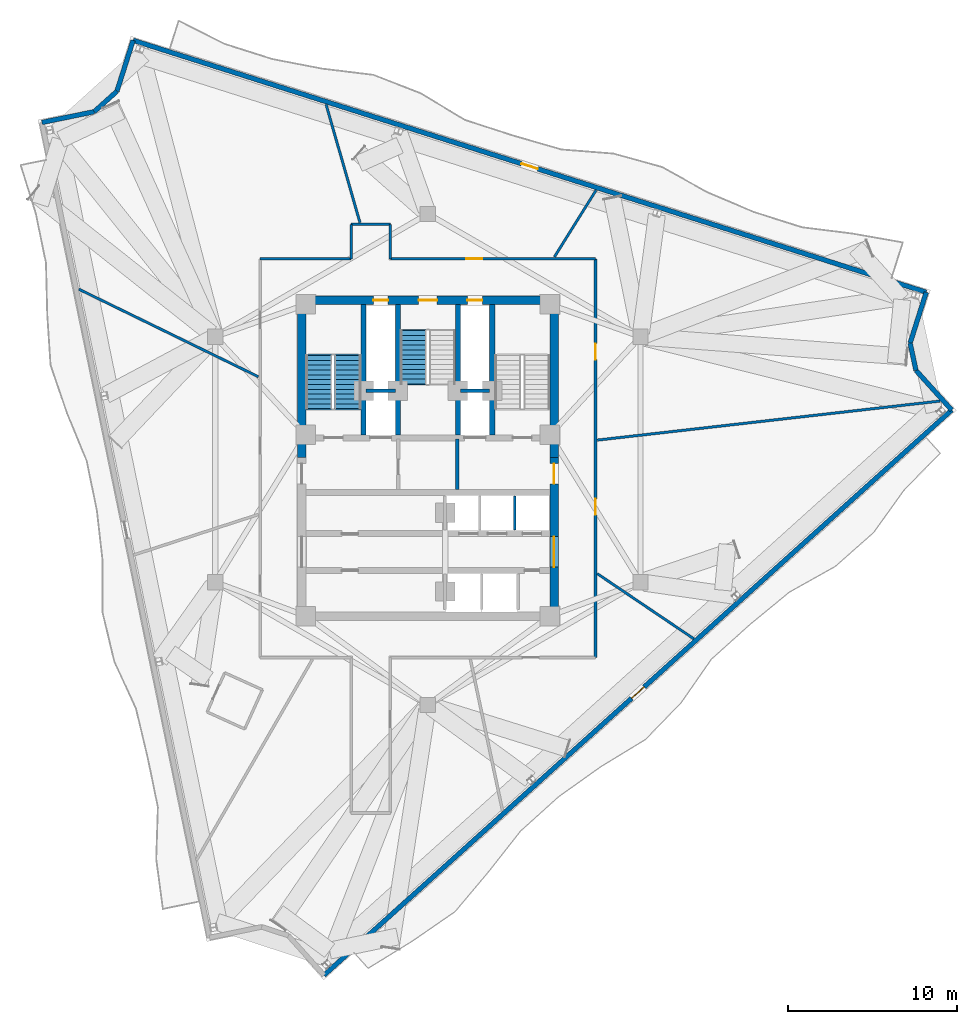
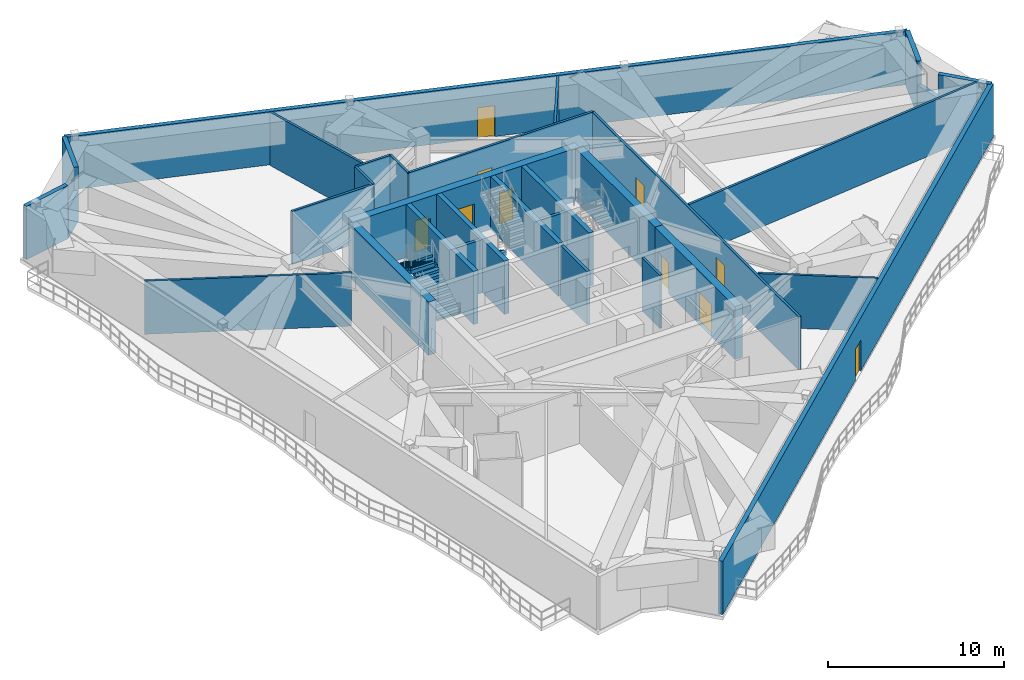
# One storey, part 7 of 12: 31 walls, 10 doors, 3 stair flights, 10 openings, 2 elements without a shape of their own.
"""IFC4 building model written with IfcOpenShell, lengths in metres."""

from ifc_helpers import new_model, si_unit, direction, frame, frame_2d, origin, place, context, subcontext, project, spatial, polyline, rectangle, outline, extrude, material, layer, layer_set, type_object, element, fill, aggregate, save


model = new_model("IFC4")

# Units and contexts
model_context = context("Model", 3, precision=1e-05, world=origin(), true_north=direction((0.0, 1.0)))
body_context = subcontext(model_context, "Body", "Model", "MODEL_VIEW")
ifc_project = project(units=[si_unit("LENGTHUNIT", "METRE"), si_unit("AREAUNIT", "SQUARE_METRE"), si_unit("VOLUMEUNIT", "CUBIC_METRE"), si_unit("PLANEANGLEUNIT", "RADIAN"), si_unit("MASSUNIT", "GRAM", prefix="KILO")], contexts=[model_context])

# Site, building, storey
site_placement = place(None, origin())
site = spatial("IfcSite", under=ifc_project, at=site_placement, CompositionType="ELEMENT")
building_placement = place(site_placement, origin())
building = spatial("IfcBuilding", under=site, at=building_placement, Name="Apsidion Concourse Tower", CompositionType="ELEMENT")
storey_placement = place(building_placement, frame((0.0, 0.0, 256.800048828125)))
storey = spatial("IfcBuildingStorey", under=building, at=storey_placement, Name="L60", CompositionType="ELEMENT", Elevation=256.800048828125)

# Wall, opening, door
ifc_material_1 = material(Name="Precast concrete C40/50", Category="concrete")
ifc_layer_1 = layer(ifc_material_1, 0.280029296875)
ifc_layer_set_1 = layer_set([ifc_layer_1], Name="Precast concrete C40/50")
wall_type_1 = type_object("IfcWallType", Name="WL-EXT-280", PredefinedType="STANDARD", material=ifc_layer_set_1)
wall_1_placement = place(storey_placement, frame((-17.4072265625, 24.74755859375, 0.0), z_axis=(0.0, 0.0, 1.0), x_axis=(0.953082756031, -0.302709861346, 0.0)))
wall_1 = element("IfcWall", 1, at=wall_1_placement, inside=storey, type_object=wall_type_1, Name="L60 Precast Stone Facade Wall 01", PredefinedType="STANDARD", context=body_context, shape_type="SweptSolid", body=[
    extrude(rectangle(XDim=49.14501953125, YDim=0.280029296875, at=frame_2d((24.572509765625, 0.0))), origin(), (0.0, 0.0, 1.0), 3.699951171875),
])
opening_1_placement = place(wall_1_placement, frame((24.072509765625, 0.0, 0.0)))
opening_1 = element("IfcOpeningElement", 2, at=opening_1_placement, cuts=wall_1, Name="Opening D-T1L", PredefinedType="OPENING", context=body_context, shape_type="SweptSolid", body=[
    extrude(rectangle(XDim=1.0, YDim=2.14990234375, at=frame_2d((0.5, 1.074951171875))), frame((0.0, 0.14990234375, 0.0), z_axis=(0.0, -1.0, 0.0), x_axis=(1.0, 0.0, 0.0)), (0.0, 0.0, 1.0), 0.300048828125),
])
ifc_material_2 = material(Name="Anodised aluminium EN AW-6063 T6", Category="aluminium")
door_type_1 = type_object("IfcDoorType", Name="DR-TER-1022L", OperationType="SINGLE_SWING_LEFT", PredefinedType="DOOR", material=ifc_material_2)
door_1_placement = place(opening_1_placement, origin())
door_1 = element("IfcDoor", 3, at=door_1_placement, inside=storey, type_object=door_type_1, Name="L60 Balcony Access Door 3", OperationType="SINGLE_SWING_LEFT", OverallHeight=2.14990234375, OverallWidth=1.0, PredefinedType="DOOR", context=body_context, shape_type="SweptSolid", body=[
    extrude(rectangle(XDim=1.0, YDim=2.14990234375, at=frame_2d((0.5, 1.074951171875))), frame((0.0, 0.02490234375, 0.0), z_axis=(0.0, -1.0, 0.0), x_axis=(1.0, 0.0, 0.0)), (0.0, 0.0, 1.0), 0.050048828125),
])
fill(opening_1, door_1)

# Walls
wall_2_placement = place(storey_placement, frame((29.43212890625, 9.870849609375, 0.0), z_axis=(0.0, 0.0, 1.0), x_axis=(-0.30264059672, -0.953104752489, 0.0)))
element("IfcWall", 4, at=wall_2_placement, inside=storey, type_object=wall_type_1, Name="L60 Precast Stone Facade Wall 02", PredefinedType="STANDARD", context=body_context, shape_type="SweptSolid", body=[
    extrude(rectangle(XDim=3.150146484375, YDim=0.280029296875, at=frame_2d((1.5751953125, 0.0))), origin(), (0.0, 0.0, 1.0), 3.699951171875),
])
wall_3_placement = place(storey_placement, frame((28.478759765625, 6.868408203125, 0.0), z_axis=(0.0, 0.0, 1.0), x_axis=(0.211126358094, -0.977458777094, 0.0)))
element("IfcWall", 5, at=wall_3_placement, inside=storey, type_object=wall_type_1, Name="L60 Precast Stone Facade Wall 03", PredefinedType="STANDARD", context=body_context, shape_type="SweptSolid", body=[
    extrude(rectangle(XDim=1.64892578125, YDim=0.280029296875, at=frame_2d((0.824462890625, 0.0))), origin(), (0.0, 0.0, 1.0), 2.079833984375),
])
wall_4_placement = place(storey_placement, frame((28.826904296875, 5.256591796875, 0.0), z_axis=(0.0, 0.0, 1.0), x_axis=(0.669127439782, -0.743147676663, 0.0)))
element("IfcWall", 6, at=wall_4_placement, inside=storey, type_object=wall_type_1, Name="L60 Precast Stone Facade Wall 04", PredefinedType="STANDARD", context=body_context, shape_type="SweptSolid", body=[
    extrude(rectangle(XDim=3.14990234375, YDim=0.280029296875, at=frame_2d((1.574951171875, 0.0))), origin(), (0.0, 0.0, 1.0), 3.699951171875),
])

# Wall, opening, door
wall_5_placement = place(storey_placement, frame((30.9345703125, 2.915771484375, 0.0), z_axis=(0.0, 0.0, 1.0), x_axis=(-0.743143233829, -0.66913237406, 0.0)))
wall_5 = element("IfcWall", 7, at=wall_5_placement, inside=storey, type_object=wall_type_1, Name="L60 Precast Stone Facade Wall 05", PredefinedType="STANDARD", context=body_context, shape_type="SweptSolid", body=[
    extrude(rectangle(XDim=49.8798828125, YDim=0.280029296875, at=frame_2d((24.93994140625, 0.0))), origin(), (0.0, 0.0, 1.0), 3.699951171875),
])
opening_2_placement = place(wall_5_placement, frame((24.43994140625, 0.0, 0.0)))
opening_2 = element("IfcOpeningElement", 8, at=opening_2_placement, cuts=wall_5, Name="Opening D-T1R", PredefinedType="OPENING", context=body_context, shape_type="SweptSolid", body=[
    extrude(rectangle(XDim=1.0, YDim=2.14990234375, at=frame_2d((0.5, 1.074951171875))), frame((0.0, 0.14990234375, 0.0), z_axis=(0.0, -1.0, 0.0), x_axis=(1.0, 0.0, 0.0)), (0.0, 0.0, 1.0), 0.300048828125),
])
door_type_2 = type_object("IfcDoorType", Name="DR-TER-1022R", OperationType="SINGLE_SWING_RIGHT", PredefinedType="DOOR", material=ifc_material_2)
door_2_placement = place(opening_2_placement, origin())
door_2 = element("IfcDoor", 9, at=door_2_placement, inside=storey, type_object=door_type_2, Name="L60 Balcony Access Door 2", OperationType="SINGLE_SWING_RIGHT", OverallHeight=2.14990234375, OverallWidth=1.0, PredefinedType="DOOR", context=body_context, shape_type="SweptSolid", body=[
    extrude(rectangle(XDim=1.0, YDim=2.14990234375, at=frame_2d((0.5, 1.074951171875))), frame((0.0, 0.02490234375, 0.0), z_axis=(0.0, -1.0, 0.0), x_axis=(1.0, 0.0, 0.0)), (0.0, 0.0, 1.0), 0.050048828125),
])
fill(opening_2, door_2)

# Walls
wall_6_placement = place(storey_placement, frame((-22.79248046875, 19.898681640625, 0.0), z_axis=(0.0, 0.0, 1.0), x_axis=(0.979502474011, 0.201432131016, 0.0)))
element("IfcWall", 10, at=wall_6_placement, inside=storey, type_object=wall_type_1, Name="L60 Precast Stone Facade Wall 10", PredefinedType="STANDARD", context=body_context, shape_type="SweptSolid", body=[
    extrude(rectangle(XDim=3.1513671875, YDim=0.280029296875, at=frame_2d((1.57568359375, 0.0))), origin(), (0.0, 0.0, 1.0), 3.699951171875),
])
wall_7_placement = place(storey_placement, frame((-19.705810546875, 20.533447265625, 0.0), z_axis=(0.0, 0.0, 1.0), x_axis=(0.743173371482, 0.669098901449, 0.0)))
element("IfcWall", 11, at=wall_7_placement, inside=storey, type_object=wall_type_1, Name="L60 Precast Stone Facade Wall 11", PredefinedType="STANDARD", context=body_context, shape_type="SweptSolid", body=[
    extrude(rectangle(XDim=1.809326171875, YDim=0.280029296875, at=frame_2d((0.90478515625, 0.0))), origin(), (0.0, 0.0, 1.0), 2.079833984375),
])
wall_8_placement = place(storey_placement, frame((-18.361083984375, 21.744140625, 0.0), z_axis=(0.0, 0.0, 1.0), x_axis=(0.302691963624, 0.953088440365, 0.0)))
element("IfcWall", 12, at=wall_8_placement, inside=storey, type_object=wall_type_1, Name="L60 Precast Stone Facade Wall 12", PredefinedType="STANDARD", context=body_context, shape_type="SweptSolid", body=[
    extrude(rectangle(XDim=3.1513671875, YDim=0.280029296875, at=frame_2d((1.57568359375, 0.0))), origin(), (0.0, 0.0, 1.0), 3.699951171875),
])
ifc_material_3 = material(Name="Gypsum plasterboard partition")
ifc_layer_2 = layer(ifc_material_3, 0.14990234375)
ifc_layer_set_2 = layer_set([ifc_layer_2], Name="Gypsum plasterboard partition")
wall_type_2 = type_object("IfcWallType", Name="WL-INT-PAR-150", PredefinedType="PARTITIONING", material=ifc_layer_set_2)
wall_9_placement = place(storey_placement, frame((5.125, -4.179931640625, 0.0), z_axis=(0.0, 0.0, 1.0), x_axis=(0.0, 1.0, 0.0)))
element("IfcWall", 13, at=wall_9_placement, inside=storey, type_object=wall_type_2, Name="L60 Interior Partition WL-L60-B3DIV-2", PredefinedType="PARTITIONING", context=body_context, shape_type="SweptSolid", body=[
    extrude(rectangle(XDim=2.030029296875, YDim=0.14990234375, at=frame_2d((1.01513671875, 0.0))), origin(), (0.0, 0.0, 1.0), 3.699951171875),
])
wall_10_placement = place(storey_placement, frame((-9.89990234375, 11.85009765625, 0.0), z_axis=(0.0, 0.0, 1.0), x_axis=(1.0, 0.0, 0.0)))
element("IfcWall", 14, at=wall_10_placement, inside=storey, type_object=wall_type_2, Name="L60 Interior Partition WL-L60-CORR-03", PredefinedType="PARTITIONING", context=body_context, shape_type="SweptSolid", body=[
    extrude(rectangle(XDim=5.369873046875, YDim=0.14990234375, at=frame_2d((2.68505859375, 0.0))), origin(), (0.0, 0.0, 1.0), 3.699951171875),
])
wall_11_placement = place(storey_placement, frame((-4.530029296875, 11.85009765625, 0.0), z_axis=(0.0, 0.0, 1.0), x_axis=(0.0, 1.0, 0.0)))
element("IfcWall", 15, at=wall_11_placement, inside=storey, type_object=wall_type_2, Name="L60 Interior Partition WL-L60-CORR-04", PredefinedType="PARTITIONING", context=body_context, shape_type="SweptSolid", body=[
    extrude(rectangle(XDim=2.02978515625, YDim=0.14990234375, at=frame_2d((1.014892578125, 0.0))), origin(), (0.0, 0.0, 1.0), 3.699951171875),
])
wall_12_placement = place(storey_placement, frame((-4.530029296875, 13.8798828125, 0.0), z_axis=(0.0, 0.0, 1.0), x_axis=(1.0, 0.0, 0.0)))
element("IfcWall", 16, at=wall_12_placement, inside=storey, type_object=wall_type_2, Name="L60 Interior Partition WL-L60-CORR-05", PredefinedType="PARTITIONING", context=body_context, shape_type="SweptSolid", body=[
    extrude(rectangle(XDim=2.31005859375, YDim=0.14990234375, at=frame_2d((1.155029296875, 0.0))), origin(), (0.0, 0.0, 1.0), 3.699951171875),
])
wall_13_placement = place(storey_placement, frame((-2.219970703125, 13.8798828125, 0.0), z_axis=(0.0, 0.0, 1.0), x_axis=(0.0, -1.0, 0.0)))
element("IfcWall", 17, at=wall_13_placement, inside=storey, type_object=wall_type_2, Name="L60 Interior Partition WL-L60-CORR-06", PredefinedType="PARTITIONING", context=body_context, shape_type="SweptSolid", body=[
    extrude(rectangle(XDim=2.02978515625, YDim=0.14990234375, at=frame_2d((1.014892578125, 0.0))), origin(), (0.0, 0.0, 1.0), 3.699951171875),
])

# Wall, opening, door
wall_14_placement = place(storey_placement, frame((-2.219970703125, 11.85009765625, 0.0), z_axis=(0.0, 0.0, 1.0), x_axis=(1.0, 0.0, 0.0)))
wall_14 = element("IfcWall", 18, at=wall_14_placement, inside=storey, type_object=wall_type_2, Name="L60 Interior Partition WL-L60-CORR-07", PredefinedType="PARTITIONING", context=body_context, shape_type="SweptSolid", body=[
    extrude(rectangle(XDim=12.119873046875, YDim=0.14990234375, at=frame_2d((6.06005859375, 0.0))), origin(), (0.0, 0.0, 1.0), 3.699951171875),
])
opening_3_placement = place(wall_14_placement, frame((4.492919921875, 0.0, 0.0)))
opening_3 = element("IfcOpeningElement", 19, at=opening_3_placement, cuts=wall_14, Name="Opening D-01R", PredefinedType="OPENING", context=body_context, shape_type="SweptSolid", body=[
    extrude(rectangle(XDim=0.949951171875, YDim=2.14990234375, at=frame_2d((0.47509765625, 1.074951171875))), frame((0.0, 0.0849609375, 0.0), z_axis=(0.0, -1.0, 0.0), x_axis=(1.0, 0.0, 0.0)), (0.0, 0.0, 1.0), 0.169921875),
])
ifc_material_4 = material(Name="Brushed stainless steel 316", Category="steel")
door_type_3 = type_object("IfcDoorType", Name="DR-INT-D01R", OperationType="SINGLE_SWING_RIGHT", PredefinedType="DOOR", material=ifc_material_4)
door_3_placement = place(opening_3_placement, origin())
door_3 = element("IfcDoor", 20, at=door_3_placement, inside=storey, type_object=door_type_3, Name="L60 Corridor Entry Door 06", OperationType="SINGLE_SWING_RIGHT", OverallHeight=2.14990234375, OverallWidth=0.949951171875, PredefinedType="DOOR", context=body_context, shape_type="SweptSolid", body=[
    extrude(rectangle(XDim=0.949951171875, YDim=2.14990234375, at=frame_2d((0.47509765625, 1.074951171875))), frame((0.0, 0.02490234375, 0.0), z_axis=(0.0, -1.0, 0.0), x_axis=(1.0, 0.0, 0.0)), (0.0, 0.0, 1.0), 0.050048828125),
])
fill(opening_3, door_3)

# Wall, openings, doors
wall_15_placement = place(storey_placement, frame((9.89990234375, 11.85009765625, 0.0), z_axis=(0.0, 0.0, 1.0), x_axis=(0.0, -1.0, 0.0)))
wall_15 = element("IfcWall", 21, at=wall_15_placement, inside=storey, type_object=wall_type_2, Name="L60 Interior Partition WL-L60-CORR-08", PredefinedType="PARTITIONING", context=body_context, shape_type="SweptSolid", body=[
    extrude(rectangle(XDim=23.550048828125, YDim=0.14990234375, at=frame_2d((11.77490234375, 0.0))), origin(), (0.0, 0.0, 1.0), 3.699951171875),
])
opening_4_placement = place(wall_15_placement, frame((14.177734375, 0.0, 0.0)))
opening_4 = element("IfcOpeningElement", 22, at=opening_4_placement, cuts=wall_15, Name="Opening D-01R", PredefinedType="OPENING", context=body_context, shape_type="SweptSolid", body=[
    extrude(rectangle(XDim=0.949951171875, YDim=2.14990234375, at=frame_2d((0.47509765625, 1.074951171875))), frame((0.0, 0.0849609375, 0.0), z_axis=(0.0, -1.0, 0.0), x_axis=(1.0, 0.0, 0.0)), (0.0, 0.0, 1.0), 0.169921875),
])
opening_5_placement = place(wall_15_placement, frame((5.009765625, 0.0, 0.0)))
opening_5 = element("IfcOpeningElement", 23, at=opening_5_placement, cuts=wall_15, Name="Opening D-01L", PredefinedType="OPENING", context=body_context, shape_type="SweptSolid", body=[
    extrude(rectangle(XDim=0.949951171875, YDim=2.14990234375, at=frame_2d((0.47509765625, 1.074951171875))), frame((0.0, 0.0849609375, 0.0), z_axis=(0.0, -1.0, 0.0), x_axis=(1.0, 0.0, 0.0)), (0.0, 0.0, 1.0), 0.169921875),
])
door_type_4 = type_object("IfcDoorType", Name="DR-INT-D01L", OperationType="SINGLE_SWING_LEFT", PredefinedType="DOOR", material=ifc_material_4)
door_4_placement = place(opening_5_placement, origin())
door_4 = element("IfcDoor", 24, at=door_4_placement, inside=storey, type_object=door_type_4, Name="L60 Corridor Entry Door 05", OperationType="SINGLE_SWING_LEFT", OverallHeight=2.14990234375, OverallWidth=0.949951171875, PredefinedType="DOOR", context=body_context, shape_type="SweptSolid", body=[
    extrude(rectangle(XDim=0.949951171875, YDim=2.14990234375, at=frame_2d((0.47509765625, 1.074951171875))), frame((0.0, 0.02490234375, 0.0), z_axis=(0.0, -1.0, 0.0), x_axis=(1.0, 0.0, 0.0)), (0.0, 0.0, 1.0), 0.050048828125),
])
fill(opening_5, door_4)
door_5_placement = place(opening_4_placement, origin())
door_5 = element("IfcDoor", 25, at=door_5_placement, inside=storey, type_object=door_type_3, Name="L60 Corridor Entry Door 04", OperationType="SINGLE_SWING_RIGHT", OverallHeight=2.14990234375, OverallWidth=0.949951171875, PredefinedType="DOOR", context=body_context, shape_type="SweptSolid", body=[
    extrude(rectangle(XDim=0.949951171875, YDim=2.14990234375, at=frame_2d((0.47509765625, 1.074951171875))), frame((0.0, 0.02490234375, 0.0), z_axis=(0.0, -1.0, 0.0), x_axis=(1.0, 0.0, 0.0)), (0.0, 0.0, 1.0), 0.050048828125),
])
fill(opening_4, door_5)

# Walls
wall_16_placement = place(storey_placement, frame((10.0048828125, 1.139892578125, 0.0), z_axis=(0.0, 0.0, 1.0), x_axis=(0.993572123655, 0.113200861731, 0.0)))
element("IfcWall", 26, at=wall_16_placement, inside=storey, type_object=wall_type_2, Name="L60 Interior Partition WL-L60-RAD-01-1", PredefinedType="PARTITIONING", context=body_context, shape_type="SweptSolid", body=[
    extrude(rectangle(XDim=20.374267578125, YDim=0.14990234375, at=frame_2d((10.18701171875, 0.0))), origin(), (0.0, 0.0, 1.0), 3.699951171875),
])
wall_17_placement = place(storey_placement, frame((7.47021484375, 11.955078125, 0.0), z_axis=(0.0, 0.0, 1.0), x_axis=(0.529961203495, 0.848021888155, 0.0)))
element("IfcWall", 27, at=wall_17_placement, inside=storey, type_object=wall_type_2, Name="L60 Interior Partition WL-L60-RAD-02-1", PredefinedType="PARTITIONING", context=body_context, shape_type="SweptSolid", body=[
    extrude(rectangle(XDim=4.65234375, YDim=0.14990234375, at=frame_2d((2.326171875, 0.0))), origin(), (0.0, 0.0, 1.0), 3.699951171875),
])
wall_18_placement = place(storey_placement, frame((-4.010009765625, 13.985107421875, 0.0), z_axis=(0.0, 0.0, 1.0), x_axis=(-0.275649034276, 0.961258347117, 0.0)))
element("IfcWall", 28, at=wall_18_placement, inside=storey, type_object=wall_type_2, Name="L60 Interior Partition WL-L60-RAD-03-1", PredefinedType="PARTITIONING", context=body_context, shape_type="SweptSolid", body=[
    extrude(rectangle(XDim=7.26171875, YDim=0.14990234375, at=frame_2d((3.630859375, 0.0))), origin(), (0.0, 0.0, 1.0), 3.699951171875),
])
wall_19_placement = place(storey_placement, frame((-10.0048828125, 4.8798828125, 0.0), z_axis=(0.0, 0.0, 1.0), x_axis=(-0.898803444185, 0.438351877743, 0.0)))
element("IfcWall", 29, at=wall_19_placement, inside=storey, type_object=wall_type_2, Name="L60 Interior Partition WL-L60-RAD-04-1", PredefinedType="PARTITIONING", context=body_context, shape_type="SweptSolid", body=[
    extrude(rectangle(XDim=11.79833984375, YDim=0.14990234375, at=frame_2d((5.899169921875, 0.0))), origin(), (0.0, 0.0, 1.0), 3.699951171875),
])
wall_20_placement = place(storey_placement, frame((10.0048828125, -6.74853515625, 0.0), z_axis=(0.0, 0.0, 1.0), x_axis=(0.829031910719, -0.559201297396, 0.0)))
element("IfcWall", 30, at=wall_20_placement, inside=storey, type_object=wall_type_2, Name="L60 Interior Partition WL-L60-RAD-08-1", PredefinedType="PARTITIONING", context=body_context, shape_type="SweptSolid", body=[
    extrude(rectangle(XDim=6.871826171875, YDim=0.14990234375, at=frame_2d((3.43603515625, 0.0))), origin(), (0.0, 0.0, 1.0), 3.699951171875),
])
ifc_layer_3 = layer(ifc_material_3, 0.199951171875)
ifc_layer_set_3 = layer_set([ifc_layer_3], Name="Gypsum plasterboard partition")
wall_type_3 = type_object("IfcWallType", Name="WL-INT-PAR-200", PredefinedType="PARTITIONING", material=ifc_layer_set_3)
for number, where, z_axis, x_axis, name in (
    (31, (-3.64990234375, 4.050048828125, 0.0), (0.0, 0.0, 1.0), (1.0, 0.0, 0.0), "L60 Interior Partition WL-L60-FF1-N"),
    (32, (1.919921875, 4.050048828125, 0.0), (0.0, 0.0, 1.0), (1.0, 0.0, 0.0), "L60 Interior Partition WL-L60-FF2-N"),
):
    element("IfcWall", number, at=place(storey_placement, frame(where, z_axis=z_axis, x_axis=x_axis)), inside=storey, type_object=wall_type_3, Name=name, PredefinedType="PARTITIONING", context=body_context, shape_type="SweptSolid", body=[
        extrude(rectangle(XDim=1.72998046875, YDim=0.199951171875, at=frame_2d((0.864990234375, 0.0))), origin(), (0.0, 0.0, 1.0), 3.699951171875),
    ])
wall_21_placement = place(storey_placement, frame((1.739990234375, -1.780029296875, 0.0), z_axis=(0.0, 0.0, 1.0), x_axis=(0.0, 1.0, 0.0)))
element("IfcWall", 33, at=wall_21_placement, inside=storey, type_object=wall_type_3, Name="L60 Interior Partition WL-L60-FF2-W", PredefinedType="PARTITIONING", context=body_context, shape_type="SweptSolid", body=[
    extrude(rectangle(XDim=2.97998046875, YDim=0.199951171875, at=frame_2d((1.489990234375, 0.0))), origin(), (0.0, 0.0, 1.0), 3.699951171875),
])
ifc_material_5 = material(Name="Concrete C50/60", Category="concrete")
ifc_layer_4 = layer(ifc_material_5, 0.300048828125)
ifc_layer_set_4 = layer_set([ifc_layer_4], Name="Concrete C50/60")
wall_type_4 = type_object("IfcWallType", Name="WL-SH-300", PredefinedType="SHEAR", material=ifc_layer_set_4)
for number, where, z_axis, x_axis, name in (
    (34, (-3.800048828125, 1.449951171875, 0.0), (0.0, 0.0, 1.0), (0.0, 1.0, 0.0), "L60 Central Core Shear Wall V1"),
    (35, (-1.77490234375, 1.449951171875, 0.0), (0.0, 0.0, 1.0), (0.0, 1.0, 0.0), "L60 Central Core Shear Wall V2"),
    (36, (1.77490234375, 1.449951171875, 0.0), (0.0, 0.0, 1.0), (0.0, 1.0, 0.0), "L60 Central Core Shear Wall V3"),
    (37, (3.800048828125, 1.449951171875, 0.0), (0.0, 0.0, 1.0), (0.0, 1.0, 0.0), "L60 Central Core Shear Wall V4"),
):
    element("IfcWall", number, at=place(storey_placement, frame(where, z_axis=z_axis, x_axis=x_axis)), inside=storey, type_object=wall_type_4, Name=name, PredefinedType="SHEAR", context=body_context, shape_type="SweptSolid", body=[
        extrude(rectangle(XDim=7.699951171875, YDim=0.300048828125, at=frame_2d((3.85009765625, 0.0))), origin(), (0.0, 0.0, 1.0), 3.699951171875),
    ])

# Wall, openings, doors
ifc_layer_5 = layer(ifc_material_5, 0.5)
ifc_layer_set_5 = layer_set([ifc_layer_5], Name="Concrete C50/60")
wall_type_5 = type_object("IfcWallType", Name="WL-SH-500", PredefinedType="SHEAR", material=ifc_layer_set_5)
wall_22_placement = place(storey_placement, frame((-7.449951171875, 9.39990234375, 0.0), z_axis=(0.0, 0.0, 1.0), x_axis=(1.0, 0.0, 0.0)))
wall_22 = element("IfcWall", 38, at=wall_22_placement, inside=storey, type_object=wall_type_5, Name="L60 Central Core Shear Wall N", PredefinedType="SHEAR", context=body_context, shape_type="SweptSolid", body=[
    extrude(rectangle(XDim=14.89990234375, YDim=0.5, at=frame_2d((7.449951171875, 0.0))), origin(), (0.0, 0.0, 1.0), 3.699951171875),
])
opening_6_placement = place(wall_22_placement, frame((6.89990234375, 0.0, 0.0)))
opening_6 = element("IfcOpeningElement", 39, at=opening_6_placement, cuts=wall_22, Name="Opening D-STL", PredefinedType="OPENING", context=body_context, shape_type="SweptSolid", body=[
    extrude(rectangle(XDim=1.10009765625, YDim=2.14990234375, at=frame_2d((0.550048828125, 1.074951171875))), frame((0.0, 0.260009765625, 0.0), z_axis=(0.0, -1.0, 0.0), x_axis=(1.0, 0.0, 0.0)), (0.0, 0.0, 1.0), 0.52001953125),
])
opening_7_placement = place(wall_22_placement, frame((4.22998046875, 0.0, 0.0)))
opening_7 = element("IfcOpeningElement", 40, at=opening_7_placement, cuts=wall_22, Name="Opening D-05L", PredefinedType="OPENING", context=body_context, shape_type="SweptSolid", body=[
    extrude(rectangle(XDim=0.8798828125, YDim=2.14990234375, at=frame_2d((0.43994140625, 1.074951171875))), frame((0.0, 0.260009765625, 0.0), z_axis=(0.0, -1.0, 0.0), x_axis=(1.0, 0.0, 0.0)), (0.0, 0.0, 1.0), 0.52001953125),
])
opening_8_placement = place(wall_22_placement, frame((9.7900390625, 0.0, 0.0)))
opening_8 = element("IfcOpeningElement", 41, at=opening_8_placement, cuts=wall_22, Name="Opening D-05R", PredefinedType="OPENING", context=body_context, shape_type="SweptSolid", body=[
    extrude(rectangle(XDim=0.8798828125, YDim=2.14990234375, at=frame_2d((0.43994140625, 1.074951171875))), frame((0.0, 0.260009765625, 0.0), z_axis=(0.0, -1.0, 0.0), x_axis=(1.0, 0.0, 0.0)), (0.0, 0.0, 1.0), 0.52001953125),
])
door_type_5 = type_object("IfcDoorType", Name="DR-INT-D05L", OperationType="SINGLE_SWING_LEFT", PredefinedType="DOOR", material=ifc_material_4)
door_6_placement = place(opening_7_placement, origin())
door_6 = element("IfcDoor", 42, at=door_6_placement, inside=storey, type_object=door_type_5, Name="L60 Electrical Riser Shaft Access Door", OperationType="SINGLE_SWING_LEFT", OverallHeight=2.14990234375, OverallWidth=0.8798828125, PredefinedType="DOOR", context=body_context, shape_type="SweptSolid", body=[
    extrude(rectangle(XDim=0.8798828125, YDim=2.14990234375, at=frame_2d((0.43994140625, 1.074951171875))), frame((0.0, 0.02490234375, 0.0), z_axis=(0.0, -1.0, 0.0), x_axis=(1.0, 0.0, 0.0)), (0.0, 0.0, 1.0), 0.050048828125),
])
fill(opening_7, door_6)
door_type_6 = type_object("IfcDoorType", Name="DR-INT-D05R", OperationType="SINGLE_SWING_RIGHT", PredefinedType="DOOR", material=ifc_material_4)
door_7_placement = place(opening_8_placement, origin())
door_7 = element("IfcDoor", 43, at=door_7_placement, inside=storey, type_object=door_type_6, Name="L60 Mechanical Riser Shaft Access Door", OperationType="SINGLE_SWING_RIGHT", OverallHeight=2.14990234375, OverallWidth=0.8798828125, PredefinedType="DOOR", context=body_context, shape_type="SweptSolid", body=[
    extrude(rectangle(XDim=0.8798828125, YDim=2.14990234375, at=frame_2d((0.43994140625, 1.074951171875))), frame((0.0, 0.02490234375, 0.0), z_axis=(0.0, -1.0, 0.0), x_axis=(1.0, 0.0, 0.0)), (0.0, 0.0, 1.0), 0.050048828125),
])
fill(opening_8, door_7)
door_type_7 = type_object("IfcDoorType", Name="DR-INT-ST1L", OperationType="SINGLE_SWING_LEFT", PredefinedType="DOOR", material=ifc_material_4)
door_8_placement = place(opening_6_placement, origin())
door_8 = element("IfcDoor", 44, at=door_8_placement, inside=storey, type_object=door_type_7, Name="L60 Core Exit Stair ST3 Door", OperationType="SINGLE_SWING_LEFT", OverallHeight=2.14990234375, OverallWidth=1.10009765625, PredefinedType="DOOR", context=body_context, shape_type="SweptSolid", body=[
    extrude(rectangle(XDim=1.10009765625, YDim=2.14990234375, at=frame_2d((0.550048828125, 1.074951171875))), frame((0.0, 0.02490234375, 0.0), z_axis=(0.0, -1.0, 0.0), x_axis=(1.0, 0.0, 0.0)), (0.0, 0.0, 1.0), 0.050048828125),
])
fill(opening_6, door_8)

# Walls
for number, where, z_axis, x_axis, name in (
    (45, (-7.449951171875, 0.10009765625, 0.0), (0.0, 0.0, 1.0), (0.0, 1.0, 0.0), "L60 Central Core Shear Wall WN"),
    (46, (7.449951171875, 0.10009765625, 0.0), (0.0, 0.0, 1.0), (0.0, 1.0, 0.0), "L60 Central Core Shear Wall EN"),
):
    element("IfcWall", number, at=place(storey_placement, frame(where, z_axis=z_axis, x_axis=x_axis)), inside=storey, type_object=wall_type_5, Name=name, PredefinedType="SHEAR", context=body_context, shape_type="SweptSolid", body=[
        extrude(rectangle(XDim=9.0498046875, YDim=0.5, at=frame_2d((4.52490234375, 0.0))), origin(), (0.0, 0.0, 1.0), 3.699951171875),
    ])

# Wall, openings, doors
wall_23_placement = place(storey_placement, frame((7.449951171875, -9.0, 0.0), z_axis=(0.0, 0.0, 1.0), x_axis=(0.0, 1.0, 0.0)))
wall_23 = element("IfcWall", 47, at=wall_23_placement, inside=storey, type_object=wall_type_5, Name="L60 Central Core Shear Wall ES", PredefinedType="SHEAR", context=body_context, shape_type="SweptSolid", body=[
    extrude(rectangle(XDim=9.10009765625, YDim=0.5, at=frame_2d((4.550048828125, 0.0))), origin(), (0.0, 0.0, 1.0), 3.699951171875),
])
opening_9_placement = place(wall_23_placement, frame((2.639892578125, 0.0, 0.0)))
opening_9 = element("IfcOpeningElement", 48, at=opening_9_placement, cuts=wall_23, Name="Opening D-06D", PredefinedType="OPENING", context=body_context, shape_type="SweptSolid", body=[
    extrude(rectangle(XDim=1.800048828125, YDim=2.199951171875, at=frame_2d((0.89990234375, 1.10009765625))), frame((0.0, 0.260009765625, 0.0), z_axis=(0.0, -1.0, 0.0), x_axis=(1.0, 0.0, 0.0)), (0.0, 0.0, 1.0), 0.52001953125),
])
opening_10_placement = place(wall_23_placement, frame((7.550048828125, 0.0, 0.0)))
opening_10 = element("IfcOpeningElement", 49, at=opening_10_placement, cuts=wall_23, Name="Opening D-FFR", PredefinedType="OPENING", context=body_context, shape_type="SweptSolid", body=[
    extrude(rectangle(XDim=1.199951171875, YDim=2.14990234375, at=frame_2d((0.60009765625, 1.074951171875))), frame((0.0, 0.260009765625, 0.0), z_axis=(0.0, -1.0, 0.0), x_axis=(1.0, 0.0, 0.0)), (0.0, 0.0, 1.0), 0.52001953125),
])
door_type_8 = type_object("IfcDoorType", Name="DR-INT-D06D", OperationType="DOUBLE_DOOR_SINGLE_SWING", PredefinedType="DOOR", material=ifc_material_4)
door_9_placement = place(opening_9_placement, origin())
door_9 = element("IfcDoor", 50, at=door_9_placement, inside=storey, type_object=door_type_8, Name="L60 Passenger Lift Lobby ES Portal Door", OperationType="DOUBLE_DOOR_SINGLE_SWING", OverallHeight=2.199951171875, OverallWidth=1.800048828125, PredefinedType="DOOR", context=body_context, shape_type="SweptSolid", body=[
    extrude(rectangle(XDim=1.800048828125, YDim=2.199951171875, at=frame_2d((0.89990234375, 1.10009765625))), frame((0.0, 0.02490234375, 0.0), z_axis=(0.0, -1.0, 0.0), x_axis=(1.0, 0.0, 0.0)), (0.0, 0.0, 1.0), 0.050048828125),
])
fill(opening_9, door_9)
door_type_9 = type_object("IfcDoorType", Name="DR-INT-FFR", OperationType="SINGLE_SWING_RIGHT", PredefinedType="DOOR", material=ifc_material_4)
door_10_placement = place(opening_10_placement, origin())
door_10 = element("IfcDoor", 51, at=door_10_placement, inside=storey, type_object=door_type_9, Name="L60 Firefighting Lift Lobby FF2 Door", OperationType="SINGLE_SWING_RIGHT", OverallHeight=2.14990234375, OverallWidth=1.199951171875, PredefinedType="DOOR", context=body_context, shape_type="SweptSolid", body=[
    extrude(rectangle(XDim=1.199951171875, YDim=2.14990234375, at=frame_2d((0.60009765625, 1.074951171875))), frame((0.0, 0.02490234375, 0.0), z_axis=(0.0, -1.0, 0.0), x_axis=(1.0, 0.0, 0.0)), (0.0, 0.0, 1.0), 0.050048828125),
])
fill(opening_10, door_10)

# Stair, stair flights
stair_type = type_object("IfcStairType", Name="ST-DL-1550", PredefinedType="HALF_TURN_STAIR", material=ifc_material_1)
stair_1_placement = place(storey_placement, origin())
stair_1 = element("IfcStair", 52, at=stair_1_placement, inside=storey, type_object=stair_type, Name="L60 Protected Core Exit Stair ST1", PredefinedType="HALF_TURN_STAIR")
stair_flight_type = type_object("IfcStairFlightType", Name="SFL-RC-1550", PredefinedType="STRAIGHT", material=ifc_material_1)
stair_flight_1_placement = place(storey_placement, frame((-4.72509765625, 3.0, 0.0), z_axis=(0.0, 0.0, 1.0), x_axis=(0.0, 1.0, 0.0)))
stair_flight_1 = element("IfcStairFlight", 53, at=stair_flight_1_placement, type_object=stair_flight_type, Name="ST1 flight 1", NumberOfRisers=12, NumberOfTreads=11, PredefinedType="STRAIGHT", RiserHeight=0.170833333, TreadLength=0.285, context=body_context, shape_type="SweptSolid", body=[
    extrude(outline(polyline([(-0.080078125, -0.1123046875), (-0.080078125, 0.0), (0.0, 0.0), (0.0, 0.1708984375), (0.284912109375, 0.1708984375), (0.284912109375, 0.341552734375), (0.570068359375, 0.341552734375), (0.570068359375, 0.512451171875), (0.85498046875, 0.512451171875), (0.85498046875, 0.683349609375), (1.139892578125, 0.683349609375), (1.139892578125, 0.854248046875), (1.425048828125, 0.854248046875), (1.425048828125, 1.02490234375), (1.7099609375, 1.02490234375), (1.7099609375, 1.19580078125), (1.9951171875, 1.19580078125), (1.9951171875, 1.36669921875), (2.280029296875, 1.36669921875), (2.280029296875, 1.53759765625), (2.56494140625, 1.53759765625), (2.56494140625, 1.708251953125), (2.85009765625, 1.708251953125), (2.85009765625, 1.879150390625), (3.135009765625, 1.879150390625), (3.135009765625, 2.050048828125), (3.215087890625, 1.964599609375), (3.215087890625, 1.704345703125), (3.135009765625, 1.704345703125), (0.29150390625, 0.0), (0.29150390625, -0.1123046875), (-0.080078125, -0.1123046875)])), frame((0.0, 0.77490234375, 0.0), z_axis=(0.0, -1.0, 0.0), x_axis=(1.0, 0.0, 0.0)), (0.0, 0.0, 1.0), 1.550048828125),
])
stair_flight_2_placement = place(storey_placement, frame((-6.425048828125, 6.135009765625, 2.050048828125), z_axis=(0.0, 0.0, 1.0), x_axis=(0.0, -1.0, 0.0)))
stair_flight_2 = element("IfcStairFlight", 54, at=stair_flight_2_placement, type_object=stair_flight_type, Name="ST1 flight 2", NumberOfRisers=12, NumberOfTreads=11, PredefinedType="STRAIGHT", RiserHeight=0.170833333, TreadLength=0.285, context=body_context, shape_type="SweptSolid", body=[
    extrude(outline(polyline([(-0.080078125, -0.1123046875), (-0.080078125, 0.0), (0.0, 0.0), (0.0, 0.1708984375), (0.284912109375, 0.1708984375), (0.284912109375, 0.341552734375), (0.570068359375, 0.341552734375), (0.570068359375, 0.512451171875), (0.85498046875, 0.512451171875), (0.85498046875, 0.683349609375), (1.139892578125, 0.683349609375), (1.139892578125, 0.854248046875), (1.425048828125, 0.854248046875), (1.425048828125, 1.02490234375), (1.7099609375, 1.02490234375), (1.7099609375, 1.19580078125), (1.9951171875, 1.19580078125), (1.9951171875, 1.36669921875), (2.280029296875, 1.36669921875), (2.280029296875, 1.53759765625), (2.56494140625, 1.53759765625), (2.56494140625, 1.708251953125), (2.85009765625, 1.708251953125), (2.85009765625, 1.879150390625), (3.135009765625, 1.879150390625), (3.135009765625, 2.050048828125), (3.215087890625, 1.964599609375), (3.215087890625, 1.704345703125), (3.135009765625, 1.704345703125), (0.29150390625, 0.0), (0.29150390625, -0.1123046875), (-0.080078125, -0.1123046875)])), frame((0.0, 0.77490234375, 0.0), z_axis=(0.0, -1.0, 0.0), x_axis=(1.0, 0.0, 0.0)), (0.0, 0.0, 1.0), 1.550048828125),
])
aggregate(stair_1, [stair_flight_1, stair_flight_2])

# Stair, stair flight
stair_2_placement = place(storey_placement, origin())
stair_2 = element("IfcStair", 55, at=stair_2_placement, inside=storey, type_object=stair_type, Name="L60 Protected Core Exit Stair ST3", PredefinedType="HALF_TURN_STAIR")
stair_flight_3_placement = place(storey_placement, frame((-0.85009765625, 7.60009765625, 0.0), z_axis=(0.0, 0.0, 1.0), x_axis=(0.0, -1.0, 0.0)))
stair_flight_3 = element("IfcStairFlight", 56, at=stair_flight_3_placement, type_object=stair_flight_type, Name="ST3 flight 1", NumberOfRisers=12, NumberOfTreads=11, PredefinedType="STRAIGHT", RiserHeight=0.170833333, TreadLength=0.285, context=body_context, shape_type="SweptSolid", body=[
    extrude(outline(polyline([(-0.080078125, -0.1123046875), (-0.080078125, 0.0), (0.0, 0.0), (0.0, 0.1708984375), (0.284912109375, 0.1708984375), (0.284912109375, 0.341552734375), (0.570068359375, 0.341552734375), (0.570068359375, 0.512451171875), (0.85498046875, 0.512451171875), (0.85498046875, 0.683349609375), (1.139892578125, 0.683349609375), (1.139892578125, 0.854248046875), (1.425048828125, 0.854248046875), (1.425048828125, 1.02490234375), (1.7099609375, 1.02490234375), (1.7099609375, 1.19580078125), (1.9951171875, 1.19580078125), (1.9951171875, 1.36669921875), (2.280029296875, 1.36669921875), (2.280029296875, 1.53759765625), (2.56494140625, 1.53759765625), (2.56494140625, 1.708251953125), (2.85009765625, 1.708251953125), (2.85009765625, 1.879150390625), (3.135009765625, 1.879150390625), (3.135009765625, 2.050048828125), (3.215087890625, 1.964599609375), (3.215087890625, 1.704345703125), (3.135009765625, 1.704345703125), (0.29150390625, 0.0), (0.29150390625, -0.1123046875), (-0.080078125, -0.1123046875)])), frame((0.0, 0.77490234375, 0.0), z_axis=(0.0, -1.0, 0.0), x_axis=(1.0, 0.0, 0.0)), (0.0, 0.0, 1.0), 1.550048828125),
])
aggregate(stair_2, [stair_flight_3])

save(model, "model.ifc")
